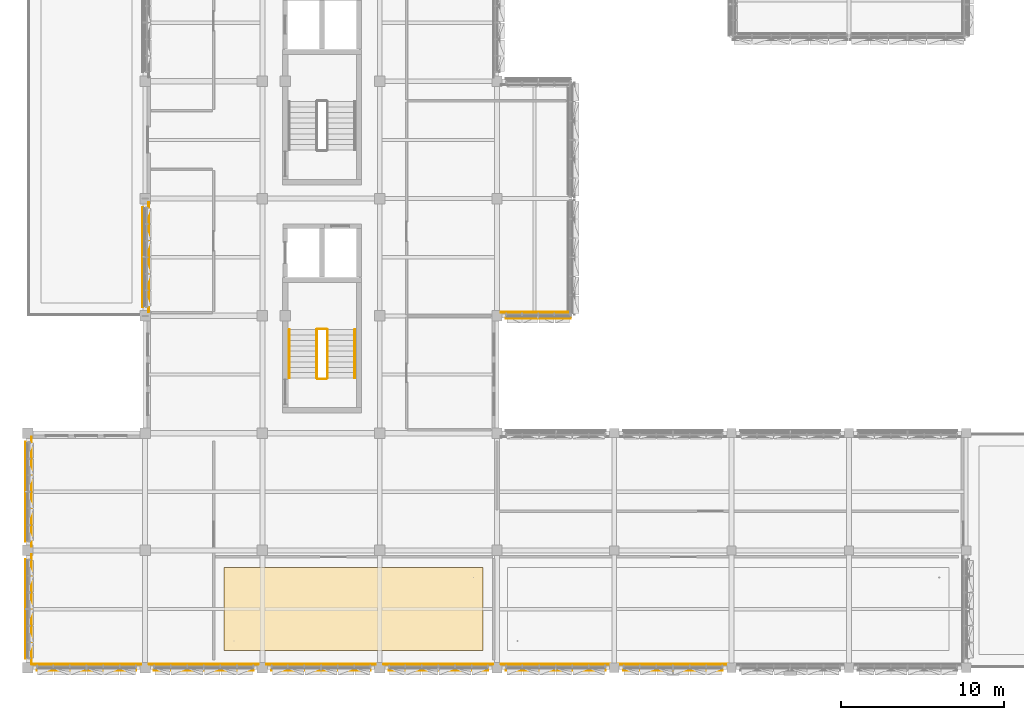
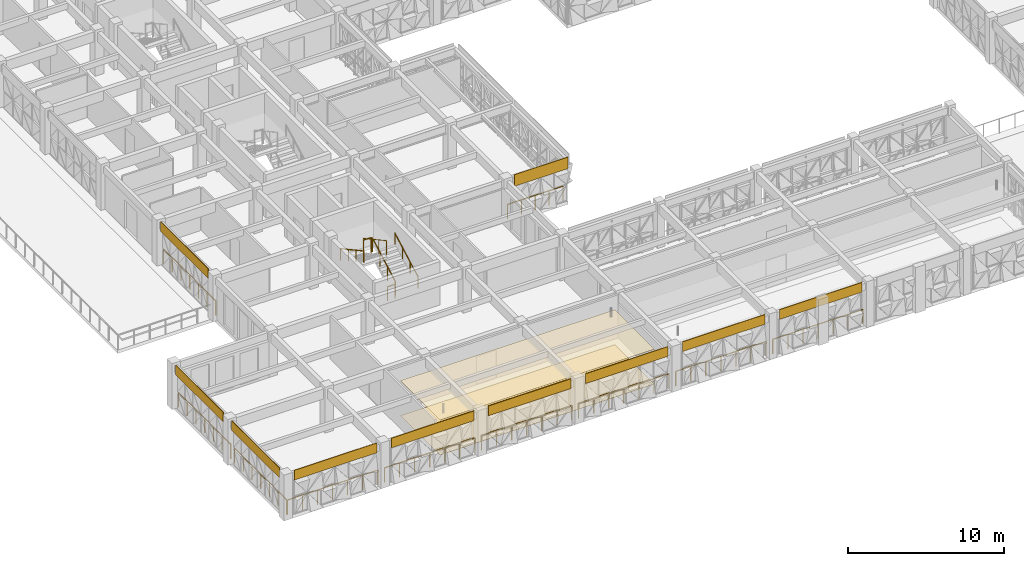
# One storey, part 68 of 85: 16 railings, 12 coverings.
"""IFC4 building model written with IfcOpenShell, lengths in metres."""

from ifc_helpers import new_model, si_unit, direction, frame, origin, origin_2d, place, context, subcontext, project, spatial, polyline, circle, outline, extrude, material, layer, layer_set, type_object, element, save


model = new_model("IFC4")

# Units and contexts
model_context = context("Model", 3, precision=1e-05, world=origin(), true_north=direction((0.0, 1.0)))
body_context = subcontext(model_context, "Body", "Model", "MODEL_VIEW")
ifc_project = project(units=[si_unit("LENGTHUNIT", "METRE"), si_unit("AREAUNIT", "SQUARE_METRE"), si_unit("VOLUMEUNIT", "CUBIC_METRE"), si_unit("PLANEANGLEUNIT", "RADIAN"), si_unit("MASSUNIT", "GRAM", prefix="KILO")], contexts=[model_context])

# Site, building, storey
site_placement = place(None, origin())
site = spatial("IfcSite", under=ifc_project, at=site_placement, CompositionType="ELEMENT")
building_placement = place(site_placement, origin())
building = spatial("IfcBuilding", under=site, at=building_placement, Name="Alvorim Cloister Faculty of Sciences", CompositionType="ELEMENT")
storey_placement = place(building_placement, frame((0.0, 0.0, 8.550048828125)))
storey = spatial("IfcBuildingStorey", under=building, at=storey_placement, Name="L02", CompositionType="ELEMENT", Elevation=8.550048828125)

# Coverings
ifc_material_1 = material(Name="Perforated Timber Acoustic Ceiling", Category="wood")
ifc_layer_1 = layer(ifc_material_1, 0.030029296875)
ifc_layer_set_1 = layer_set([ifc_layer_1], Name="Perforated Timber Acoustic Ceiling")
covering_type_1 = type_object("IfcCoveringType", Name="COV-CEIL-ACOUSTIC", PredefinedType="CEILING", material=ifc_layer_set_1)
covering_1_placement = place(storey_placement, frame((0.0, 0.0, 2.72998046875)))
element("IfcCovering", 1, at=covering_1_placement, inside=storey, type_object=covering_type_1, Name="Analytical Balance and NMR Prep Acoustic Ceiling", PredefinedType="CEILING", context=body_context, shape_type="SweptSolid", body=[
    extrude(outline(polyline([(12.050048828125, 1.050048828125), (27.949951171875, 1.050048828125), (27.949951171875, 6.14990234375), (12.050048828125, 6.14990234375), (12.050048828125, 1.050048828125)])), origin(), (0.0, 0.0, 1.0), 0.030029296875),
])
ifc_material_2 = material(Name="Anodised Aluminium Alloy 6063-T6", Category="aluminium")
ifc_layer_2 = layer(ifc_material_2, 0.031982421875)
ifc_layer_set_2 = layer_set([ifc_layer_2], Name="Anodised Aluminium Alloy 6063-T6")
covering_type_2 = type_object("IfcCoveringType", Name="COV-FAC-CAS", PredefinedType="CLADDING", material=ifc_layer_set_2)
covering_2_placement = place(storey_placement, frame((7.050048828125, 22.139892578125, 2.829833984375), z_axis=(0.0, 0.0, 1.0), x_axis=(0.0, 1.0, 0.0)))
element("IfcCovering", 2, at=covering_2_placement, inside=storey, type_object=covering_type_2, Name="L02 Shifted Bar Slab-Edge Architectural Fascia", PredefinedType="CLADDING", context=body_context, shape_type="SweptSolid", body=[
    extrude(outline(polyline([(0.0, 0.0), (6.1201171875, 0.0), (6.1201171875, 0.760009765625), (0.0, 0.760009765625), (0.0, 0.0)])), frame((0.0, 0.0224609375, 0.0), z_axis=(0.0, -1.0, 0.0), x_axis=(1.0, 0.0, 0.0)), (0.0, 0.0, 1.0), 0.044921875),
])
covering_3_placement = place(storey_placement, frame((29.340087890625, 21.449951171875, 2.68603515625), z_axis=(0.0, 0.0, 1.0), x_axis=(1.0, 0.0, 0.0)))
element("IfcCovering", 3, at=covering_3_placement, inside=storey, type_object=covering_type_2, Name="L02 Shifted Bar Slab-Edge Architectural Fascia", PredefinedType="CLADDING", context=body_context, shape_type="SweptSolid", body=[
    extrude(outline(polyline([(0.0, 0.0), (3.97998046875, 0.0), (3.97998046875, 0.90380859375), (0.0, 0.90380859375), (0.0, 0.0)])), frame((0.0, 0.0224609375, 0.0), z_axis=(0.0, -1.0, 0.0), x_axis=(1.0, 0.0, 0.0)), (0.0, 0.0, 1.0), 0.044921875),
])
for number, where, z_axis, x_axis, name in (
    (4, (36.5400390625, -0.14990234375, 2.829833984375), (0.0, 0.0, 1.0), (1.0, 0.0, 0.0), "L02 Shifted Bar Slab-Edge Architectural Fascia"),
    (5, (29.340087890625, -0.14990234375, 2.829833984375), (0.0, 0.0, 1.0), (1.0, 0.0, 0.0), "L02 Shifted Bar Slab-Edge Architectural Fascia"),
    (6, (22.139892578125, -0.14990234375, 2.829833984375), (0.0, 0.0, 1.0), (1.0, 0.0, 0.0), "L02 Shifted Bar Slab-Edge Architectural Fascia"),
    (7, (14.93994140625, -0.14990234375, 2.829833984375), (0.0, 0.0, 1.0), (1.0, 0.0, 0.0), "L02 Shifted Bar Slab-Edge Architectural Fascia"),
    (8, (7.739990234375, -0.14990234375, 2.829833984375), (0.0, 0.0, 1.0), (1.0, 0.0, 0.0), "L02 Shifted Bar Slab-Edge Architectural Fascia"),
    (9, (0.5400390625, -0.14990234375, 2.829833984375), (0.0, 0.0, 1.0), (1.0, 0.0, 0.0), "L02 Shifted Bar Slab-Edge Architectural Fascia"),
    (10, (-0.14990234375, 0.5400390625, 2.829833984375), (0.0, 0.0, 1.0), (0.0, 1.0, 0.0), "L02 Shifted Bar Slab-Edge Architectural Fascia"),
    (11, (-0.14990234375, 7.739990234375, 2.829833984375), (0.0, 0.0, 1.0), (0.0, 1.0, 0.0), "L02 Shifted Bar Slab-Edge Architectural Fascia"),
):
    element("IfcCovering", number, at=place(storey_placement, frame(where, z_axis=z_axis, x_axis=x_axis)), inside=storey, type_object=covering_type_2, Name=name, PredefinedType="CLADDING", context=body_context, shape_type="SweptSolid", body=[
        extrude(outline(polyline([(0.0, 0.0), (6.1201171875, 0.0), (6.1201171875, 0.760009765625), (0.0, 0.760009765625), (0.0, 0.0)])), frame((0.0, 0.0224609375, 0.0), z_axis=(0.0, -1.0, 0.0), x_axis=(1.0, 0.0, 0.0)), (0.0, 0.0, 1.0), 0.044921875),
    ])
ifc_material_3 = material(Name="Chemical-Resistant Sheet Flooring", Category="polymer")
ifc_layer_3 = layer(ifc_material_3, 0.02001953125)
ifc_layer_set_3 = layer_set([ifc_layer_3], Name="Chemical-Resistant Sheet Flooring")
covering_type_3 = type_object("IfcCoveringType", Name="COV-FLR-LAB", PredefinedType="FLOORING", material=ifc_layer_set_3)
covering_4_placement = place(storey_placement, origin())
element("IfcCovering", 12, at=covering_4_placement, inside=storey, type_object=covering_type_3, Name="Analytical Balance and NMR Prep Floor Finish", PredefinedType="FLOORING", context=body_context, shape_type="SweptSolid", body=[
    extrude(outline(polyline([(12.050048828125, 1.050048828125), (27.949951171875, 1.050048828125), (27.949951171875, 6.14990234375), (12.050048828125, 6.14990234375), (12.050048828125, 1.050048828125)])), origin(), (0.0, 0.0, 1.0), 0.02001953125),
])

# Railings
ifc_material_4 = material(Name="Laminated Safety Glass and Bronze", Category="glass")
railing_type_1 = type_object("IfcRailingType", Name="RL-ATR-BAL-1150", PredefinedType="BALUSTRADE", material=ifc_material_4)
railing_1_placement = place(storey_placement, frame((7.419921875, 21.85009765625, 0.0)))
element("IfcRailing", 13, at=railing_1_placement, inside=storey, type_object=railing_type_1, Name="L02 Curtain Wall Sill Guard BL-45", PredefinedType="BALUSTRADE", context=body_context, shape_type="SweptSolid", body=[
    extrude(circle(Radius=0.02392578125, at=origin_2d()), frame((0.0, 0.0, 1.1259765625), z_axis=(0.0, 1.0, 0.0), x_axis=(-1.0, 0.0, 0.0)), (0.0, 0.0, 1.0), 6.699951171875),
    extrude(circle(Radius=0.02099609375, at=origin_2d()), origin(), (0.0, 0.0, 1.0), 1.101806640625),
    extrude(circle(Radius=0.02099609375, at=origin_2d()), frame((0.0, 1.11669921875, 0.0)), (0.0, 0.0, 1.0), 1.101806640625),
    extrude(circle(Radius=0.02099609375, at=origin_2d()), frame((0.0, 2.2333984375, 0.0)), (0.0, 0.0, 1.0), 1.101806640625),
    extrude(circle(Radius=0.02099609375, at=origin_2d()), frame((0.0, 3.35009765625, 0.0)), (0.0, 0.0, 1.0), 1.101806640625),
    extrude(circle(Radius=0.02099609375, at=origin_2d()), frame((0.0, 4.466552734375, 0.0)), (0.0, 0.0, 1.0), 1.101806640625),
    extrude(circle(Radius=0.02099609375, at=origin_2d()), frame((0.0, 5.583251953125, 0.0)), (0.0, 0.0, 1.0), 1.101806640625),
    extrude(circle(Radius=0.02099609375, at=origin_2d()), frame((0.0, 6.699951171875, 0.0)), (0.0, 0.0, 1.0), 1.101806640625),
])
railing_2_placement = place(storey_placement, frame((29.050048828125, 21.820068359375, 0.0)))
element("IfcRailing", 14, at=railing_2_placement, inside=storey, type_object=railing_type_1, Name="L02 Curtain Wall Sill Guard BL-68", PredefinedType="BALUSTRADE", context=body_context, shape_type="SweptSolid", body=[
    extrude(circle(Radius=0.02392578125, at=origin_2d()), frame((0.0, 0.0, 1.1259765625), z_axis=(1.0, 0.0, 0.0), x_axis=(0.0, 1.0, 0.0)), (0.0, 0.0, 1.0), 4.099853515625),
    extrude(circle(Radius=0.02099609375, at=origin_2d()), origin(), (0.0, 0.0, 1.0), 1.101806640625),
    extrude(circle(Radius=0.02099609375, at=origin_2d()), frame((1.02490234375, 0.0, 0.0)), (0.0, 0.0, 1.0), 1.101806640625),
    extrude(circle(Radius=0.02099609375, at=origin_2d()), frame((2.0498046875, 0.0, 0.0)), (0.0, 0.0, 1.0), 1.101806640625),
    extrude(circle(Radius=0.02099609375, at=origin_2d()), frame((3.074951171875, 0.0, 0.0)), (0.0, 0.0, 1.0), 1.101806640625),
    extrude(circle(Radius=0.02099609375, at=origin_2d()), frame((4.099853515625, 0.0, 0.0)), (0.0, 0.0, 1.0), 1.101806640625),
])
for number, where, name in (
    (15, (36.25, 0.219970703125, 0.0), "L02 Curtain Wall Sill Guard BL-76"),
    (16, (29.050048828125, 0.219970703125, 0.0), "L02 Curtain Wall Sill Guard BL-77"),
    (17, (21.85009765625, 0.219970703125, 0.0), "L02 Curtain Wall Sill Guard BL-78"),
):
    element("IfcRailing", number, at=place(storey_placement, frame(where)), inside=storey, type_object=railing_type_1, Name=name, PredefinedType="BALUSTRADE", context=body_context, shape_type="SweptSolid", body=[
        extrude(circle(Radius=0.02392578125, at=origin_2d()), frame((0.0, 0.0, 1.1259765625), z_axis=(1.0, 0.0, 0.0), x_axis=(0.0, 1.0, 0.0)), (0.0, 0.0, 1.0), 6.699951171875),
        extrude(circle(Radius=0.02099609375, at=origin_2d()), origin(), (0.0, 0.0, 1.0), 1.101806640625),
        extrude(circle(Radius=0.02099609375, at=origin_2d()), frame((1.11669921875, 0.0, 0.0)), (0.0, 0.0, 1.0), 1.101806640625),
        extrude(circle(Radius=0.02099609375, at=origin_2d()), frame((2.2333984375, 0.0, 0.0)), (0.0, 0.0, 1.0), 1.101806640625),
        extrude(circle(Radius=0.02099609375, at=origin_2d()), frame((3.35009765625, 0.0, 0.0)), (0.0, 0.0, 1.0), 1.101806640625),
        extrude(circle(Radius=0.02099609375, at=origin_2d()), frame((4.466552734375, 0.0, 0.0)), (0.0, 0.0, 1.0), 1.101806640625),
        extrude(circle(Radius=0.02099609375, at=origin_2d()), frame((5.583251953125, 0.0, 0.0)), (0.0, 0.0, 1.0), 1.101806640625),
        extrude(circle(Radius=0.02099609375, at=origin_2d()), frame((6.699951171875, 0.0, 0.0)), (0.0, 0.0, 1.0), 1.101806640625),
    ])
railing_3_placement = place(storey_placement, frame((14.64990234375, 0.219970703125, 0.0)))
element("IfcRailing", 18, at=railing_3_placement, inside=storey, type_object=railing_type_1, Name="L02 Curtain Wall Sill Guard BL-79", PredefinedType="BALUSTRADE", context=body_context, shape_type="SweptSolid", body=[
    extrude(circle(Radius=0.02392578125, at=origin_2d()), frame((0.0, 0.0, 1.1259765625), z_axis=(1.0, 0.0, 0.0), x_axis=(0.0, 1.0, 0.0)), (0.0, 0.0, 1.0), 6.7001953125),
    extrude(circle(Radius=0.02099609375, at=origin_2d()), origin(), (0.0, 0.0, 1.0), 1.101806640625),
    extrude(circle(Radius=0.02099609375, at=origin_2d()), frame((1.11669921875, 0.0, 0.0)), (0.0, 0.0, 1.0), 1.101806640625),
    extrude(circle(Radius=0.02099609375, at=origin_2d()), frame((2.2333984375, 0.0, 0.0)), (0.0, 0.0, 1.0), 1.101806640625),
    extrude(circle(Radius=0.02099609375, at=origin_2d()), frame((3.35009765625, 0.0, 0.0)), (0.0, 0.0, 1.0), 1.101806640625),
    extrude(circle(Radius=0.02099609375, at=origin_2d()), frame((4.466796875, 0.0, 0.0)), (0.0, 0.0, 1.0), 1.101806640625),
    extrude(circle(Radius=0.02099609375, at=origin_2d()), frame((5.58349609375, 0.0, 0.0)), (0.0, 0.0, 1.0), 1.101806640625),
    extrude(circle(Radius=0.02099609375, at=origin_2d()), frame((6.7001953125, 0.0, 0.0)), (0.0, 0.0, 1.0), 1.101806640625),
])
for number, where, name in (
    (19, (7.449951171875, 0.219970703125, 0.0), "L02 Curtain Wall Sill Guard BL-80"),
    (20, (0.25, 0.219970703125, 0.0), "L02 Curtain Wall Sill Guard BL-81"),
):
    element("IfcRailing", number, at=place(storey_placement, frame(where)), inside=storey, type_object=railing_type_1, Name=name, PredefinedType="BALUSTRADE", context=body_context, shape_type="SweptSolid", body=[
        extrude(circle(Radius=0.02392578125, at=origin_2d()), frame((0.0, 0.0, 1.1259765625), z_axis=(1.0, 0.0, 0.0), x_axis=(0.0, 1.0, 0.0)), (0.0, 0.0, 1.0), 6.699951171875),
        extrude(circle(Radius=0.02099609375, at=origin_2d()), origin(), (0.0, 0.0, 1.0), 1.101806640625),
        extrude(circle(Radius=0.02099609375, at=origin_2d()), frame((1.11669921875, 0.0, 0.0)), (0.0, 0.0, 1.0), 1.101806640625),
        extrude(circle(Radius=0.02099609375, at=origin_2d()), frame((2.2333984375, 0.0, 0.0)), (0.0, 0.0, 1.0), 1.101806640625),
        extrude(circle(Radius=0.02099609375, at=origin_2d()), frame((3.35009765625, 0.0, 0.0)), (0.0, 0.0, 1.0), 1.101806640625),
        extrude(circle(Radius=0.02099609375, at=origin_2d()), frame((4.466552734375, 0.0, 0.0)), (0.0, 0.0, 1.0), 1.101806640625),
        extrude(circle(Radius=0.02099609375, at=origin_2d()), frame((5.583251953125, 0.0, 0.0)), (0.0, 0.0, 1.0), 1.101806640625),
        extrude(circle(Radius=0.02099609375, at=origin_2d()), frame((6.699951171875, 0.0, 0.0)), (0.0, 0.0, 1.0), 1.101806640625),
    ])
for number, where, name in (
    (21, (0.219970703125, 0.25, 0.0), "L02 Curtain Wall Sill Guard BL-82"),
    (22, (0.219970703125, 7.449951171875, 0.0), "L02 Curtain Wall Sill Guard BL-83"),
):
    element("IfcRailing", number, at=place(storey_placement, frame(where)), inside=storey, type_object=railing_type_1, Name=name, PredefinedType="BALUSTRADE", context=body_context, shape_type="SweptSolid", body=[
        extrude(circle(Radius=0.02392578125, at=origin_2d()), frame((0.0, 0.0, 1.1259765625), z_axis=(0.0, 1.0, 0.0), x_axis=(-1.0, 0.0, 0.0)), (0.0, 0.0, 1.0), 6.699951171875),
        extrude(circle(Radius=0.02099609375, at=origin_2d()), origin(), (0.0, 0.0, 1.0), 1.101806640625),
        extrude(circle(Radius=0.02099609375, at=origin_2d()), frame((0.0, 1.11669921875, 0.0)), (0.0, 0.0, 1.0), 1.101806640625),
        extrude(circle(Radius=0.02099609375, at=origin_2d()), frame((0.0, 2.2333984375, 0.0)), (0.0, 0.0, 1.0), 1.101806640625),
        extrude(circle(Radius=0.02099609375, at=origin_2d()), frame((0.0, 3.35009765625, 0.0)), (0.0, 0.0, 1.0), 1.101806640625),
        extrude(circle(Radius=0.02099609375, at=origin_2d()), frame((0.0, 4.466552734375, 0.0)), (0.0, 0.0, 1.0), 1.101806640625),
        extrude(circle(Radius=0.02099609375, at=origin_2d()), frame((0.0, 5.583251953125, 0.0)), (0.0, 0.0, 1.0), 1.101806640625),
        extrude(circle(Radius=0.02099609375, at=origin_2d()), frame((0.0, 6.699951171875, 0.0)), (0.0, 0.0, 1.0), 1.101806640625),
    ])
ifc_material_5 = material(Name="Galvanised Painted Steel", Category="steel")
railing_type_2 = type_object("IfcRailingType", Name="RL-STR-GUARD", PredefinedType="GUARDRAIL", material=ifc_material_5)
railing_4_placement = place(storey_placement, frame((18.389892578125, 17.780029296875, 0.179931640625)))
element("IfcRailing", 23, at=railing_4_placement, inside=storey, type_object=railing_type_2, Name="L02 ST-01 stair guard 1", PredefinedType="GUARDRAIL", context=body_context, shape_type="SweptSolid", body=[
    extrude(circle(Radius=0.02392578125, at=origin_2d()), frame((0.0, 0.0, 1.09619140625), z_axis=(0.0, 0.877879025156, 0.47888246699), x_axis=(-1.0, 0.0, 0.0)), (0.0, 0.0, 1.0), 3.383056640625),
    extrude(circle(Radius=0.02099609375, at=origin_2d()), origin(), (0.0, 0.0, 1.0), 1.072021484375),
    extrude(circle(Radius=0.02099609375, at=origin_2d()), frame((0.0, 0.989990234375, 0.5400390625)), (0.0, 0.0, 1.0), 1.072021484375),
    extrude(circle(Radius=0.02099609375, at=origin_2d()), frame((0.0, 1.97998046875, 1.080078125)), (0.0, 0.0, 1.0), 1.072021484375),
    extrude(circle(Radius=0.02099609375, at=origin_2d()), frame((0.0, 2.969970703125, 1.6201171875)), (0.0, 0.0, 1.0), 1.072021484375),
])
railing_5_placement = place(storey_placement, frame((18.340087890625, 20.800048828125, 1.800048828125)))
element("IfcRailing", 24, at=railing_5_placement, inside=storey, type_object=railing_type_2, Name="L02 ST-01 stair guard 2", PredefinedType="GUARDRAIL", context=body_context, shape_type="SweptSolid", body=[
    extrude(circle(Radius=0.02392578125, at=origin_2d()), frame((0.0, 0.0, 1.09619140625), z_axis=(-1.0, 0.0, 0.0), x_axis=(0.0, -1.0, 0.0)), (0.0, 0.0, 1.0), 0.56005859375),
    extrude(circle(Radius=0.02099609375, at=origin_2d()), origin(), (0.0, 0.0, 1.0), 1.072021484375),
    extrude(circle(Radius=0.02099609375, at=origin_2d()), frame((-0.56005859375, 0.0, 0.0)), (0.0, 0.0, 1.0), 1.072021484375),
])
railing_6_placement = place(storey_placement, frame((17.72998046875, 20.75, 1.97998046875)))
element("IfcRailing", 25, at=railing_6_placement, inside=storey, type_object=railing_type_2, Name="L02 ST-01 stair guard 3", PredefinedType="GUARDRAIL", context=body_context, shape_type="SweptSolid", body=[
    extrude(circle(Radius=0.02392578125, at=origin_2d()), frame((0.0, 0.0, 1.09619140625), z_axis=(0.0, -0.877909362389, 0.478826849112), x_axis=(1.0, 0.0, 0.0)), (0.0, 0.0, 1.0), 3.383056640625),
    extrude(circle(Radius=0.02099609375, at=origin_2d()), origin(), (0.0, 0.0, 1.0), 1.072021484375),
    extrude(circle(Radius=0.02099609375, at=origin_2d()), frame((0.0, -0.989990234375, 0.5400390625)), (0.0, 0.0, 1.0), 1.072021484375),
    extrude(circle(Radius=0.02099609375, at=origin_2d()), frame((0.0, -1.97998046875, 1.079833984375)), (0.0, 0.0, 1.0), 1.072021484375),
    extrude(circle(Radius=0.02099609375, at=origin_2d()), frame((0.0, -2.969970703125, 1.619873046875)), (0.0, 0.0, 1.0), 1.072021484375),
])
railing_7_placement = place(storey_placement, frame((18.340087890625, 17.72998046875, 0.0)))
element("IfcRailing", 26, at=railing_7_placement, inside=storey, type_object=railing_type_2, Name="L02 ST-01 stair guard 4", PredefinedType="GUARDRAIL", context=body_context, shape_type="SweptSolid", body=[
    extrude(circle(Radius=0.02392578125, at=origin_2d()), frame((0.0, 0.0, 1.09619140625), z_axis=(-1.0, 0.0, 0.0), x_axis=(0.0, -1.0, 0.0)), (0.0, 0.0, 1.0), 0.56005859375),
    extrude(circle(Radius=0.02099609375, at=origin_2d()), origin(), (0.0, 0.0, 1.0), 1.072021484375),
    extrude(circle(Radius=0.02099609375, at=origin_2d()), frame((-0.56005859375, 0.0, 0.0)), (0.0, 0.0, 1.0), 1.072021484375),
])
ifc_material_6 = material(Name="Brushed Stainless Steel", Category="steel")
railing_type_3 = type_object("IfcRailingType", Name="RL-STR-HAND", PredefinedType="HANDRAIL", material=ifc_material_6)
railing_8_placement = place(storey_placement, frame((20.070068359375, 17.780029296875, 0.179931640625)))
element("IfcRailing", 27, at=railing_8_placement, inside=storey, type_object=railing_type_3, Name="L02 ST-01 stair handrail 1", PredefinedType="HANDRAIL", context=body_context, shape_type="SweptSolid", body=[
    extrude(circle(Radius=0.02392578125, at=origin_2d()), frame((0.0, 0.0, 0.8759765625), z_axis=(0.0, 0.877879025156, 0.47888246699), x_axis=(-1.0, 0.0, 0.0)), (0.0, 0.0, 1.0), 3.383056640625),
    extrude(circle(Radius=0.02099609375, at=origin_2d()), origin(), (0.0, 0.0, 1.0), 0.851806640625),
    extrude(circle(Radius=0.02099609375, at=origin_2d()), frame((0.0, 0.989990234375, 0.5400390625)), (0.0, 0.0, 1.0), 0.851806640625),
    extrude(circle(Radius=0.02099609375, at=origin_2d()), frame((0.0, 1.97998046875, 1.080078125)), (0.0, 0.0, 1.0), 0.851806640625),
    extrude(circle(Radius=0.02099609375, at=origin_2d()), frame((0.0, 2.969970703125, 1.6201171875)), (0.0, 0.0, 1.0), 0.851806640625),
])
railing_9_placement = place(storey_placement, frame((16.050048828125, 20.75, 1.97998046875)))
element("IfcRailing", 28, at=railing_9_placement, inside=storey, type_object=railing_type_3, Name="L02 ST-01 stair handrail 2", PredefinedType="HANDRAIL", context=body_context, shape_type="SweptSolid", body=[
    extrude(circle(Radius=0.02392578125, at=origin_2d()), frame((0.0, 0.0, 0.8759765625), z_axis=(0.0, -0.877909362389, 0.478826849112), x_axis=(1.0, 0.0, 0.0)), (0.0, 0.0, 1.0), 3.383056640625),
    extrude(circle(Radius=0.02099609375, at=origin_2d()), origin(), (0.0, 0.0, 1.0), 0.851806640625),
    extrude(circle(Radius=0.02099609375, at=origin_2d()), frame((0.0, -0.989990234375, 0.5400390625)), (0.0, 0.0, 1.0), 0.851806640625),
    extrude(circle(Radius=0.02099609375, at=origin_2d()), frame((0.0, -1.97998046875, 1.079833984375)), (0.0, 0.0, 1.0), 0.851806640625),
    extrude(circle(Radius=0.02099609375, at=origin_2d()), frame((0.0, -2.969970703125, 1.619873046875)), (0.0, 0.0, 1.0), 0.851806640625),
])

save(model, "model.ifc")
